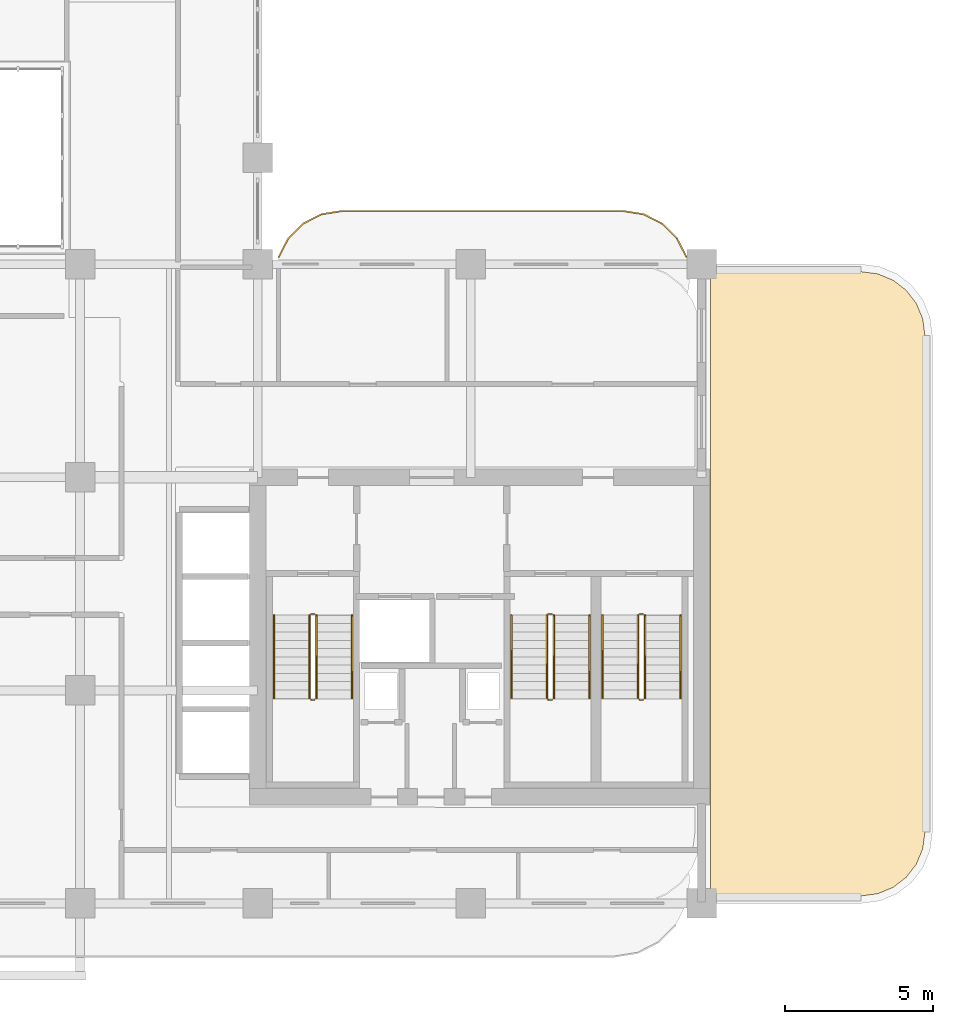
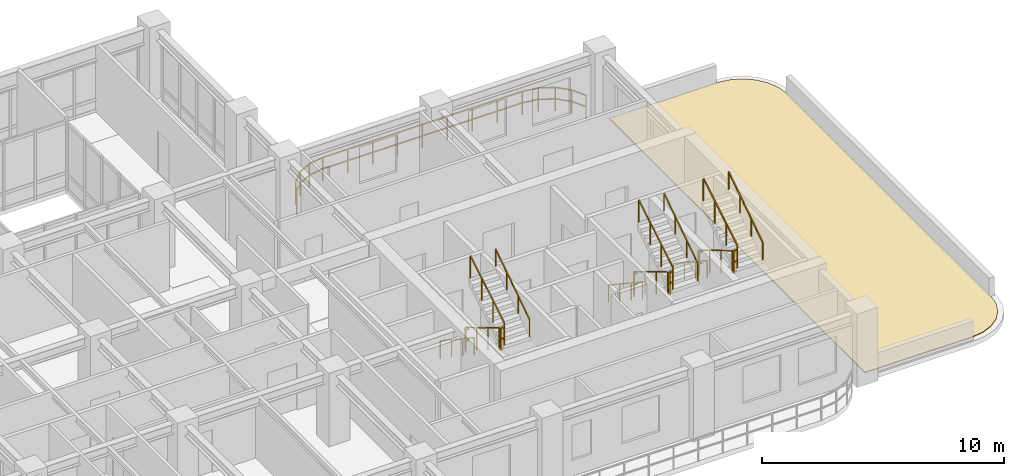
# One storey, part 18 of 20: 19 railings, 1 covering.
"""IFC4 building model written with IfcOpenShell, lengths in metres."""

from ifc_helpers import new_model, si_unit, derived_unit, direction, frame, origin, origin_2d, place, context, subcontext, project, spatial, polyline, rectangle, outline, extrude, material, layer, layer_set, type_object, element, save


model = new_model("IFC4")

# Units and contexts
model_context = context("Model", 3, precision=1e-05, world=origin(), true_north=direction((0.0, 1.0)))
body_context = subcontext(model_context, "Body", "Model", "MODEL_VIEW")
ifc_project = project(units=[si_unit("LENGTHUNIT", "METRE"), si_unit("AREAUNIT", "SQUARE_METRE"), si_unit("VOLUMEUNIT", "CUBIC_METRE"), si_unit("PLANEANGLEUNIT", "RADIAN"), si_unit("MASSUNIT", "GRAM", prefix="KILO"), si_unit("THERMODYNAMICTEMPERATUREUNIT", "KELVIN"), si_unit("POWERUNIT", "WATT"), derived_unit("THERMALTRANSMITTANCEUNIT", [(si_unit("POWERUNIT", "WATT"), 1), (si_unit("AREAUNIT", "SQUARE_METRE"), -1), (si_unit("THERMODYNAMICTEMPERATUREUNIT", "KELVIN"), -1)])], contexts=[model_context])

# Site, building, storey
site_placement = place(None, origin())
site = spatial("IfcSite", under=ifc_project, at=site_placement, CompositionType="ELEMENT")
building_placement = place(site_placement, origin())
building = spatial("IfcBuilding", under=site, at=building_placement, Name="Zahravan Archway Hotel and Residences", CompositionType="ELEMENT")
storey_placement = place(building_placement, frame((0.0, 0.0, 111.800048828125)))
storey = spatial("IfcBuildingStorey", under=building, at=storey_placement, Name="L27", CompositionType="ELEMENT", Elevation=111.800048828125)

# Covering
ifc_material_1 = material(Name="Elastomeric Reflective Roof Waterproofing")
ifc_layer = layer(ifc_material_1, 0.034912109375, Name="Elastomeric Reflective Roof Waterproofing")
ifc_layer_set = layer_set([ifc_layer], Name="Elastomeric Reflective Roof Waterproofing")
covering_type = type_object("IfcCoveringType", Name="COV-ROOF-MEMB", PredefinedType="ROOFING", material=ifc_layer_set)
covering_placement = place(storey_placement, origin())
element("IfcCovering", 1, at=covering_placement, inside=storey, type_object=covering_type, Name="L27 Elastomeric Roof Membrane (SLB-L27-SETBACK-1)", PredefinedType="ROOFING", context=body_context, shape_type="SweptSolid", body=[
    extrude(outline(polyline([(55.755859375, 21.274658203125), (56.27392578125, 21.06005859375), (56.71875, 20.71875), (57.06005859375, 20.27392578125), (57.274658203125, 19.755859375), (57.35009765625, 19.18359375), (57.35009765625, 2.41650390625), (57.274658203125, 1.843994140625), (57.06005859375, 1.326171875), (56.71875, 0.881103515625), (56.27392578125, 0.539794921875), (55.755859375, 0.325439453125), (55.18359375, 0.25), (50.110107421875, 0.25), (50.110107421875, 21.35009765625), (55.18359375, 21.35009765625), (55.755859375, 21.274658203125)])), origin(), (0.0, 0.0, 1.0), 0.034912109375),
])

# Railings
ifc_material_2 = material(Name="Bronze & Laminated Glass Balustrade", Category="glass")
railing_type_1 = type_object("IfcRailingType", Name="RL-BAL-1200", PredefinedType="BALUSTRADE", material=ifc_material_2)
railing_1_placement = place(storey_placement, frame((35.510009765625, 21.84521484375, 0.0)))
element("IfcRailing", 2, at=railing_1_placement, inside=storey, type_object=railing_type_1, Name="L27 Balustrade RL-SLB-BAL-L27-NA-1", PredefinedType="BALUSTRADE", context=body_context, shape_type="SweptSolid", body=[
    extrude(rectangle(XDim=0.048095703125, YDim=0.048095703125, at=origin_2d()), frame((0.0, 0.0, 1.17578125), z_axis=(0.453998517824, 0.891002438725, 0.0), x_axis=(-0.891002438725, 0.453998517824, 0.0)), (0.0, 0.0, 1.0), 0.703857421875),
    extrude(rectangle(XDim=0.048095703125, YDim=0.048095703125, at=origin_2d()), frame((0.0, 0.0, 0.60009765625), z_axis=(0.453998517824, 0.891002438725, 0.0), x_axis=(-0.891002438725, 0.453998517824, 0.0)), (0.0, 0.0, 1.0), 0.703857421875),
    extrude(rectangle(XDim=0.048095703125, YDim=0.048095703125, at=origin_2d()), frame((0.319580078125, 0.627197265625, 1.17578125), z_axis=(0.707106781187, 0.707106781187, 0.0), x_axis=(-0.707106781187, 0.707106781187, 0.0)), (0.0, 0.0, 1.0), 0.7041015625),
    extrude(rectangle(XDim=0.048095703125, YDim=0.048095703125, at=origin_2d()), frame((0.319580078125, 0.627197265625, 0.60009765625), z_axis=(0.707106781187, 0.707106781187, 0.0), x_axis=(-0.707106781187, 0.707106781187, 0.0)), (0.0, 0.0, 1.0), 0.7041015625),
    extrude(rectangle(XDim=0.048095703125, YDim=0.048095703125, at=origin_2d()), frame((0.8173828125, 1.125, 1.17578125), z_axis=(0.891002438725, 0.453998517824, 0.0), x_axis=(-0.453998517824, 0.891002438725, 0.0)), (0.0, 0.0, 1.0), 0.703857421875),
    extrude(rectangle(XDim=0.048095703125, YDim=0.048095703125, at=origin_2d()), frame((0.8173828125, 1.125, 0.60009765625), z_axis=(0.891002438725, 0.453998517824, 0.0), x_axis=(-0.453998517824, 0.891002438725, 0.0)), (0.0, 0.0, 1.0), 0.703857421875),
    extrude(rectangle(XDim=0.048095703125, YDim=0.048095703125, at=origin_2d()), frame((1.444580078125, 1.444580078125, 1.17578125), z_axis=(0.987692567255, 0.156407776626, 0.0), x_axis=(-0.156407776626, 0.987692567255, 0.0)), (0.0, 0.0, 1.0), 0.703857421875),
    extrude(rectangle(XDim=0.048095703125, YDim=0.048095703125, at=origin_2d()), frame((1.444580078125, 1.444580078125, 0.60009765625), z_axis=(0.987692567255, 0.156407776626, 0.0), x_axis=(-0.156407776626, 0.987692567255, 0.0)), (0.0, 0.0, 1.0), 0.703857421875),
    extrude(rectangle(XDim=0.048095703125, YDim=0.048095703125, at=origin_2d()), frame((2.139892578125, 1.5546875, 1.17578125), z_axis=(1.0, 0.0, 0.0), x_axis=(0.0, 1.0, 0.0)), (0.0, 0.0, 1.0), 9.5),
    extrude(rectangle(XDim=0.048095703125, YDim=0.048095703125, at=origin_2d()), frame((2.139892578125, 1.5546875, 0.60009765625), z_axis=(1.0, 0.0, 0.0), x_axis=(0.0, 1.0, 0.0)), (0.0, 0.0, 1.0), 9.5),
    extrude(rectangle(XDim=0.048095703125, YDim=0.048095703125, at=origin_2d()), frame((11.639892578125, 1.5546875, 1.17578125), z_axis=(0.987692567255, -0.156407776626, 0.0), x_axis=(0.156407776626, 0.987692567255, 0.0)), (0.0, 0.0, 1.0), 0.703857421875),
    extrude(rectangle(XDim=0.048095703125, YDim=0.048095703125, at=origin_2d()), frame((11.639892578125, 1.5546875, 0.60009765625), z_axis=(0.987692567255, -0.156407776626, 0.0), x_axis=(0.156407776626, 0.987692567255, 0.0)), (0.0, 0.0, 1.0), 0.703857421875),
    extrude(rectangle(XDim=0.048095703125, YDim=0.048095703125, at=origin_2d()), frame((12.335205078125, 1.444580078125, 1.17578125), z_axis=(0.891002438725, -0.453998517824, 0.0), x_axis=(0.453998517824, 0.891002438725, 0.0)), (0.0, 0.0, 1.0), 0.703857421875),
    extrude(rectangle(XDim=0.048095703125, YDim=0.048095703125, at=origin_2d()), frame((12.335205078125, 1.444580078125, 0.60009765625), z_axis=(0.891002438725, -0.453998517824, 0.0), x_axis=(0.453998517824, 0.891002438725, 0.0)), (0.0, 0.0, 1.0), 0.703857421875),
    extrude(rectangle(XDim=0.048095703125, YDim=0.048095703125, at=origin_2d()), frame((12.96240234375, 1.125, 1.17578125), z_axis=(0.707106781187, -0.707106781187, 0.0), x_axis=(0.707106781187, 0.707106781187, 0.0)), (0.0, 0.0, 1.0), 0.7041015625),
    extrude(rectangle(XDim=0.048095703125, YDim=0.048095703125, at=origin_2d()), frame((12.96240234375, 1.125, 0.60009765625), z_axis=(0.707106781187, -0.707106781187, 0.0), x_axis=(0.707106781187, 0.707106781187, 0.0)), (0.0, 0.0, 1.0), 0.7041015625),
    extrude(rectangle(XDim=0.048095703125, YDim=0.048095703125, at=origin_2d()), frame((13.460205078125, 0.627197265625, 1.17578125), z_axis=(0.453998517824, -0.891002438725, 0.0), x_axis=(0.891002438725, 0.453998517824, 0.0)), (0.0, 0.0, 1.0), 0.703857421875),
    extrude(rectangle(XDim=0.048095703125, YDim=0.048095703125, at=origin_2d()), frame((13.460205078125, 0.627197265625, 0.60009765625), z_axis=(0.453998517824, -0.891002438725, 0.0), x_axis=(0.891002438725, 0.453998517824, 0.0)), (0.0, 0.0, 1.0), 0.703857421875),
    extrude(rectangle(XDim=0.0419921875, YDim=0.0419921875, at=origin_2d()), origin(), (0.0, 0.0, 1.0), 1.15185546875),
    extrude(rectangle(XDim=0.0419921875, YDim=0.0419921875, at=origin_2d()), frame((0.319580078125, 0.627197265625, 0.0)), (0.0, 0.0, 1.0), 1.15185546875),
    extrude(rectangle(XDim=0.0419921875, YDim=0.0419921875, at=origin_2d()), frame((0.8173828125, 1.125, 0.0)), (0.0, 0.0, 1.0), 1.15185546875),
    extrude(rectangle(XDim=0.0419921875, YDim=0.0419921875, at=origin_2d()), frame((1.444580078125, 1.444580078125, 0.0)), (0.0, 0.0, 1.0), 1.15185546875),
    extrude(rectangle(XDim=0.0419921875, YDim=0.0419921875, at=origin_2d()), frame((2.139892578125, 1.5546875, 0.0)), (0.0, 0.0, 1.0), 1.15185546875),
    extrude(rectangle(XDim=0.0419921875, YDim=0.0419921875, at=origin_2d()), frame((3.327392578125, 1.5546875, 0.0)), (0.0, 0.0, 1.0), 1.15185546875),
    extrude(rectangle(XDim=0.0419921875, YDim=0.0419921875, at=origin_2d()), frame((4.514892578125, 1.5546875, 0.0)), (0.0, 0.0, 1.0), 1.15185546875),
    extrude(rectangle(XDim=0.0419921875, YDim=0.0419921875, at=origin_2d()), frame((5.702392578125, 1.5546875, 0.0)), (0.0, 0.0, 1.0), 1.15185546875),
    extrude(rectangle(XDim=0.0419921875, YDim=0.0419921875, at=origin_2d()), frame((6.889892578125, 1.5546875, 0.0)), (0.0, 0.0, 1.0), 1.15185546875),
    extrude(rectangle(XDim=0.0419921875, YDim=0.0419921875, at=origin_2d()), frame((8.077392578125, 1.5546875, 0.0)), (0.0, 0.0, 1.0), 1.15185546875),
    extrude(rectangle(XDim=0.0419921875, YDim=0.0419921875, at=origin_2d()), frame((9.264892578125, 1.5546875, 0.0)), (0.0, 0.0, 1.0), 1.15185546875),
    extrude(rectangle(XDim=0.0419921875, YDim=0.0419921875, at=origin_2d()), frame((10.452392578125, 1.5546875, 0.0)), (0.0, 0.0, 1.0), 1.15185546875),
    extrude(rectangle(XDim=0.0419921875, YDim=0.0419921875, at=origin_2d()), frame((11.639892578125, 1.5546875, 0.0)), (0.0, 0.0, 1.0), 1.15185546875),
    extrude(rectangle(XDim=0.0419921875, YDim=0.0419921875, at=origin_2d()), frame((12.335205078125, 1.444580078125, 0.0)), (0.0, 0.0, 1.0), 1.15185546875),
    extrude(rectangle(XDim=0.0419921875, YDim=0.0419921875, at=origin_2d()), frame((12.96240234375, 1.125, 0.0)), (0.0, 0.0, 1.0), 1.15185546875),
    extrude(rectangle(XDim=0.0419921875, YDim=0.0419921875, at=origin_2d()), frame((13.460205078125, 0.627197265625, 0.0)), (0.0, 0.0, 1.0), 1.15185546875),
    extrude(rectangle(XDim=0.0419921875, YDim=0.0419921875, at=origin_2d()), frame((13.77978515625, 0.0, 0.0)), (0.0, 0.0, 1.0), 1.15185546875),
])
ifc_material_3 = material(Name="Painted Tubular Steel", Category="steel")
railing_type_2 = type_object("IfcRailingType", Name="RL-STG-1150", PredefinedType="GUARDRAIL", material=ifc_material_3)
railing_2_placement = place(storey_placement, frame((36.550048828125, 9.72998046875, 0.168212890625)))
element("IfcRailing", 3, at=railing_2_placement, inside=storey, type_object=railing_type_2, Name="L27 ST-A1 stair guard 1", PredefinedType="GUARDRAIL", context=body_context, shape_type="SweptSolid", body=[
    extrude(rectangle(XDim=0.048095703125, YDim=0.048095703125, at=origin_2d()), frame((0.0, 0.0, 1.1259765625), z_axis=(0.0, -0.857275202839, 0.514858452973), x_axis=(1.0, 0.0, 0.0)), (0.0, 0.0, 1.0), 3.26611328125),
    extrude(rectangle(XDim=0.0419921875, YDim=0.0419921875, at=origin_2d()), origin(), (0.0, 0.0, 1.0), 1.101806640625),
    extrude(rectangle(XDim=0.0419921875, YDim=0.0419921875, at=origin_2d()), frame((0.0, -0.933349609375, 0.560546875)), (0.0, 0.0, 1.0), 1.101806640625),
    extrude(rectangle(XDim=0.0419921875, YDim=0.0419921875, at=origin_2d()), frame((0.0, -1.86669921875, 1.12109375)), (0.0, 0.0, 1.0), 1.101806640625),
    extrude(rectangle(XDim=0.0419921875, YDim=0.0419921875, at=origin_2d()), frame((0.0, -2.800048828125, 1.681640625)), (0.0, 0.0, 1.0), 1.101806640625),
])
railing_3_placement = place(storey_placement, frame((36.60009765625, 6.8798828125, 1.849853515625)))
element("IfcRailing", 4, at=railing_3_placement, inside=storey, type_object=railing_type_2, Name="L27 ST-A1 stair guard 2", PredefinedType="GUARDRAIL", context=body_context, shape_type="SweptSolid", body=[
    extrude(rectangle(XDim=0.048095703125, YDim=0.048095703125, at=origin_2d()), frame((0.0, 0.0, 1.1259765625), z_axis=(1.0, 0.0, 0.0), x_axis=(0.0, 1.0, 0.0)), (0.0, 0.0, 1.0), 0.139892578125),
    extrude(rectangle(XDim=0.048095703125, YDim=0.048095703125, at=origin_2d()), frame((0.0, 0.0, 0.574951171875), z_axis=(1.0, 0.0, 0.0), x_axis=(0.0, 1.0, 0.0)), (0.0, 0.0, 1.0), 0.139892578125),
    extrude(rectangle(XDim=0.0419921875, YDim=0.0419921875, at=origin_2d()), origin(), (0.0, 0.0, 1.0), 1.101806640625),
])
railing_4_placement = place(storey_placement, frame((36.7900390625, 6.929931640625, 2.01806640625)))
element("IfcRailing", 5, at=railing_4_placement, inside=storey, type_object=railing_type_2, Name="L27 ST-A1 stair guard 3", PredefinedType="GUARDRAIL", context=body_context, shape_type="SweptSolid", body=[
    extrude(rectangle(XDim=0.048095703125, YDim=0.048095703125, at=origin_2d()), frame((0.0, 0.0, 1.1259765625), z_axis=(0.0, 0.857242210791, 0.514913383045), x_axis=(-1.0, 0.0, 0.0)), (0.0, 0.0, 1.0), 3.266357421875),
    extrude(rectangle(XDim=0.0419921875, YDim=0.0419921875, at=origin_2d()), origin(), (0.0, 0.0, 1.0), 1.101806640625),
    extrude(rectangle(XDim=0.0419921875, YDim=0.0419921875, at=origin_2d()), frame((0.0, 0.933349609375, 0.560546875)), (0.0, 0.0, 1.0), 1.101806640625),
    extrude(rectangle(XDim=0.0419921875, YDim=0.0419921875, at=origin_2d()), frame((0.0, 1.86669921875, 1.121337890625)), (0.0, 0.0, 1.0), 1.101806640625),
    extrude(rectangle(XDim=0.0419921875, YDim=0.0419921875, at=origin_2d()), frame((0.0, 2.800048828125, 1.681884765625)), (0.0, 0.0, 1.0), 1.101806640625),
])
railing_5_placement = place(storey_placement, frame((36.60009765625, 9.780029296875, 0.0)))
element("IfcRailing", 6, at=railing_5_placement, inside=storey, type_object=railing_type_2, Name="L27 ST-A1 stair guard 4", PredefinedType="GUARDRAIL", context=body_context, shape_type="SweptSolid", body=[
    extrude(rectangle(XDim=0.048095703125, YDim=0.048095703125, at=origin_2d()), frame((0.0, 0.0, 1.1259765625), z_axis=(1.0, 0.0, 0.0), x_axis=(0.0, 1.0, 0.0)), (0.0, 0.0, 1.0), 0.139892578125),
    extrude(rectangle(XDim=0.048095703125, YDim=0.048095703125, at=origin_2d()), frame((0.0, 0.0, 0.574951171875), z_axis=(1.0, 0.0, 0.0), x_axis=(0.0, 1.0, 0.0)), (0.0, 0.0, 1.0), 0.139892578125),
    extrude(rectangle(XDim=0.0419921875, YDim=0.0419921875, at=origin_2d()), origin(), (0.0, 0.0, 1.0), 1.101806640625),
])
railing_6_placement = place(storey_placement, frame((44.570068359375, 9.72998046875, 0.168212890625)))
element("IfcRailing", 7, at=railing_6_placement, inside=storey, type_object=railing_type_2, Name="L27 ST-A2 stair guard 1", PredefinedType="GUARDRAIL", context=body_context, shape_type="SweptSolid", body=[
    extrude(rectangle(XDim=0.048095703125, YDim=0.048095703125, at=origin_2d()), frame((0.0, 0.0, 1.1259765625), z_axis=(0.0, -0.857275202839, 0.514858452973), x_axis=(1.0, 0.0, 0.0)), (0.0, 0.0, 1.0), 3.26611328125),
    extrude(rectangle(XDim=0.0419921875, YDim=0.0419921875, at=origin_2d()), origin(), (0.0, 0.0, 1.0), 1.101806640625),
    extrude(rectangle(XDim=0.0419921875, YDim=0.0419921875, at=origin_2d()), frame((0.0, -0.933349609375, 0.560546875)), (0.0, 0.0, 1.0), 1.101806640625),
    extrude(rectangle(XDim=0.0419921875, YDim=0.0419921875, at=origin_2d()), frame((0.0, -1.86669921875, 1.12109375)), (0.0, 0.0, 1.0), 1.101806640625),
    extrude(rectangle(XDim=0.0419921875, YDim=0.0419921875, at=origin_2d()), frame((0.0, -2.800048828125, 1.681640625)), (0.0, 0.0, 1.0), 1.101806640625),
])
railing_7_placement = place(storey_placement, frame((44.6201171875, 6.8798828125, 1.849853515625)))
element("IfcRailing", 8, at=railing_7_placement, inside=storey, type_object=railing_type_2, Name="L27 ST-A2 stair guard 2", PredefinedType="GUARDRAIL", context=body_context, shape_type="SweptSolid", body=[
    extrude(rectangle(XDim=0.048095703125, YDim=0.048095703125, at=origin_2d()), frame((0.0, 0.0, 1.1259765625), z_axis=(1.0, 0.0, 0.0), x_axis=(0.0, 1.0, 0.0)), (0.0, 0.0, 1.0), 0.139892578125),
    extrude(rectangle(XDim=0.048095703125, YDim=0.048095703125, at=origin_2d()), frame((0.0, 0.0, 0.574951171875), z_axis=(1.0, 0.0, 0.0), x_axis=(0.0, 1.0, 0.0)), (0.0, 0.0, 1.0), 0.139892578125),
    extrude(rectangle(XDim=0.0419921875, YDim=0.0419921875, at=origin_2d()), origin(), (0.0, 0.0, 1.0), 1.101806640625),
])
railing_8_placement = place(storey_placement, frame((44.81005859375, 6.929931640625, 2.01806640625)))
element("IfcRailing", 9, at=railing_8_placement, inside=storey, type_object=railing_type_2, Name="L27 ST-A2 stair guard 3", PredefinedType="GUARDRAIL", context=body_context, shape_type="SweptSolid", body=[
    extrude(rectangle(XDim=0.048095703125, YDim=0.048095703125, at=origin_2d()), frame((0.0, 0.0, 1.1259765625), z_axis=(0.0, 0.857242210791, 0.514913383045), x_axis=(-1.0, 0.0, 0.0)), (0.0, 0.0, 1.0), 3.266357421875),
    extrude(rectangle(XDim=0.0419921875, YDim=0.0419921875, at=origin_2d()), origin(), (0.0, 0.0, 1.0), 1.101806640625),
    extrude(rectangle(XDim=0.0419921875, YDim=0.0419921875, at=origin_2d()), frame((0.0, 0.933349609375, 0.560546875)), (0.0, 0.0, 1.0), 1.101806640625),
    extrude(rectangle(XDim=0.0419921875, YDim=0.0419921875, at=origin_2d()), frame((0.0, 1.86669921875, 1.121337890625)), (0.0, 0.0, 1.0), 1.101806640625),
    extrude(rectangle(XDim=0.0419921875, YDim=0.0419921875, at=origin_2d()), frame((0.0, 2.800048828125, 1.681884765625)), (0.0, 0.0, 1.0), 1.101806640625),
])
railing_9_placement = place(storey_placement, frame((44.6201171875, 9.780029296875, 0.0)))
element("IfcRailing", 10, at=railing_9_placement, inside=storey, type_object=railing_type_2, Name="L27 ST-A2 stair guard 4", PredefinedType="GUARDRAIL", context=body_context, shape_type="SweptSolid", body=[
    extrude(rectangle(XDim=0.048095703125, YDim=0.048095703125, at=origin_2d()), frame((0.0, 0.0, 1.1259765625), z_axis=(1.0, 0.0, 0.0), x_axis=(0.0, 1.0, 0.0)), (0.0, 0.0, 1.0), 0.139892578125),
    extrude(rectangle(XDim=0.048095703125, YDim=0.048095703125, at=origin_2d()), frame((0.0, 0.0, 0.574951171875), z_axis=(1.0, 0.0, 0.0), x_axis=(0.0, 1.0, 0.0)), (0.0, 0.0, 1.0), 0.139892578125),
    extrude(rectangle(XDim=0.0419921875, YDim=0.0419921875, at=origin_2d()), origin(), (0.0, 0.0, 1.0), 1.101806640625),
])
railing_10_placement = place(storey_placement, frame((47.64990234375, 9.72998046875, 0.168212890625)))
element("IfcRailing", 11, at=railing_10_placement, inside=storey, type_object=railing_type_2, Name="L27 ST-A3 stair guard 1", PredefinedType="GUARDRAIL", context=body_context, shape_type="SweptSolid", body=[
    extrude(rectangle(XDim=0.048095703125, YDim=0.048095703125, at=origin_2d()), frame((0.0, 0.0, 1.1259765625), z_axis=(0.0, -0.857275202839, 0.514858452973), x_axis=(1.0, 0.0, 0.0)), (0.0, 0.0, 1.0), 3.26611328125),
    extrude(rectangle(XDim=0.0419921875, YDim=0.0419921875, at=origin_2d()), origin(), (0.0, 0.0, 1.0), 1.101806640625),
    extrude(rectangle(XDim=0.0419921875, YDim=0.0419921875, at=origin_2d()), frame((0.0, -0.933349609375, 0.560546875)), (0.0, 0.0, 1.0), 1.101806640625),
    extrude(rectangle(XDim=0.0419921875, YDim=0.0419921875, at=origin_2d()), frame((0.0, -1.86669921875, 1.12109375)), (0.0, 0.0, 1.0), 1.101806640625),
    extrude(rectangle(XDim=0.0419921875, YDim=0.0419921875, at=origin_2d()), frame((0.0, -2.800048828125, 1.681640625)), (0.0, 0.0, 1.0), 1.101806640625),
])
railing_11_placement = place(storey_placement, frame((47.699951171875, 6.8798828125, 1.849853515625)))
element("IfcRailing", 12, at=railing_11_placement, inside=storey, type_object=railing_type_2, Name="L27 ST-A3 stair guard 2", PredefinedType="GUARDRAIL", context=body_context, shape_type="SweptSolid", body=[
    extrude(rectangle(XDim=0.048095703125, YDim=0.048095703125, at=origin_2d()), frame((0.0, 0.0, 1.1259765625), z_axis=(1.0, 0.0, 0.0), x_axis=(0.0, 1.0, 0.0)), (0.0, 0.0, 1.0), 0.14013671875),
    extrude(rectangle(XDim=0.048095703125, YDim=0.048095703125, at=origin_2d()), frame((0.0, 0.0, 0.574951171875), z_axis=(1.0, 0.0, 0.0), x_axis=(0.0, 1.0, 0.0)), (0.0, 0.0, 1.0), 0.14013671875),
    extrude(rectangle(XDim=0.0419921875, YDim=0.0419921875, at=origin_2d()), origin(), (0.0, 0.0, 1.0), 1.101806640625),
])
railing_12_placement = place(storey_placement, frame((47.889892578125, 6.929931640625, 2.01806640625)))
element("IfcRailing", 13, at=railing_12_placement, inside=storey, type_object=railing_type_2, Name="L27 ST-A3 stair guard 3", PredefinedType="GUARDRAIL", context=body_context, shape_type="SweptSolid", body=[
    extrude(rectangle(XDim=0.048095703125, YDim=0.048095703125, at=origin_2d()), frame((0.0, 0.0, 1.1259765625), z_axis=(0.0, 0.857242210791, 0.514913383045), x_axis=(-1.0, 0.0, 0.0)), (0.0, 0.0, 1.0), 3.266357421875),
    extrude(rectangle(XDim=0.0419921875, YDim=0.0419921875, at=origin_2d()), origin(), (0.0, 0.0, 1.0), 1.101806640625),
    extrude(rectangle(XDim=0.0419921875, YDim=0.0419921875, at=origin_2d()), frame((0.0, 0.933349609375, 0.560546875)), (0.0, 0.0, 1.0), 1.101806640625),
    extrude(rectangle(XDim=0.0419921875, YDim=0.0419921875, at=origin_2d()), frame((0.0, 1.86669921875, 1.121337890625)), (0.0, 0.0, 1.0), 1.101806640625),
    extrude(rectangle(XDim=0.0419921875, YDim=0.0419921875, at=origin_2d()), frame((0.0, 2.800048828125, 1.681884765625)), (0.0, 0.0, 1.0), 1.101806640625),
])
railing_13_placement = place(storey_placement, frame((47.699951171875, 9.780029296875, 0.0)))
element("IfcRailing", 14, at=railing_13_placement, inside=storey, type_object=railing_type_2, Name="L27 ST-A3 stair guard 4", PredefinedType="GUARDRAIL", context=body_context, shape_type="SweptSolid", body=[
    extrude(rectangle(XDim=0.048095703125, YDim=0.048095703125, at=origin_2d()), frame((0.0, 0.0, 1.1259765625), z_axis=(1.0, 0.0, 0.0), x_axis=(0.0, 1.0, 0.0)), (0.0, 0.0, 1.0), 0.14013671875),
    extrude(rectangle(XDim=0.048095703125, YDim=0.048095703125, at=origin_2d()), frame((0.0, 0.0, 0.574951171875), z_axis=(1.0, 0.0, 0.0), x_axis=(0.0, 1.0, 0.0)), (0.0, 0.0, 1.0), 0.14013671875),
    extrude(rectangle(XDim=0.0419921875, YDim=0.0419921875, at=origin_2d()), origin(), (0.0, 0.0, 1.0), 1.101806640625),
])
ifc_material_4 = material(Name="Brushed Stainless Steel", Category="steel")
railing_type_3 = type_object("IfcRailingType", Name="RL-STH-900", PredefinedType="HANDRAIL", material=ifc_material_4)
railing_14_placement = place(storey_placement, frame((35.35009765625, 9.72998046875, 0.168212890625)))
element("IfcRailing", 15, at=railing_14_placement, inside=storey, type_object=railing_type_3, Name="L27 ST-A1 stair handrail 1", PredefinedType="HANDRAIL", context=body_context, shape_type="SweptSolid", body=[
    extrude(rectangle(XDim=0.048095703125, YDim=0.048095703125, at=origin_2d()), frame((0.0, 0.0, 0.8759765625), z_axis=(0.0, -0.83435981716, 0.551220187865), x_axis=(1.0, 0.0, 0.0)), (0.0, 0.0, 1.0), 3.35595703125),
    extrude(rectangle(XDim=0.0419921875, YDim=0.0419921875, at=origin_2d()), origin(), (0.0, 0.0, 1.0), 0.851806640625),
    extrude(rectangle(XDim=0.0419921875, YDim=0.0419921875, at=origin_2d()), frame((0.0, -0.933349609375, 0.61669921875)), (0.0, 0.0, 1.0), 0.851806640625),
    extrude(rectangle(XDim=0.0419921875, YDim=0.0419921875, at=origin_2d()), frame((0.0, -1.86669921875, 1.233154296875)), (0.0, 0.0, 1.0), 0.851806640625),
    extrude(rectangle(XDim=0.0419921875, YDim=0.0419921875, at=origin_2d()), frame((0.0, -2.800048828125, 1.849853515625)), (0.0, 0.0, 1.0), 0.851806640625),
])
railing_15_placement = place(storey_placement, frame((37.989990234375, 6.929931640625, 2.01806640625)))
element("IfcRailing", 16, at=railing_15_placement, inside=storey, type_object=railing_type_3, Name="L27 ST-A1 stair handrail 2", PredefinedType="HANDRAIL", context=body_context, shape_type="SweptSolid", body=[
    extrude(rectangle(XDim=0.048095703125, YDim=0.048095703125, at=origin_2d()), frame((0.0, 0.0, 0.8759765625), z_axis=(0.0, 0.834326358476, 0.551270829586), x_axis=(-1.0, 0.0, 0.0)), (0.0, 0.0, 1.0), 3.35595703125),
    extrude(rectangle(XDim=0.0419921875, YDim=0.0419921875, at=origin_2d()), origin(), (0.0, 0.0, 1.0), 0.851806640625),
    extrude(rectangle(XDim=0.0419921875, YDim=0.0419921875, at=origin_2d()), frame((0.0, 0.933349609375, 0.61669921875)), (0.0, 0.0, 1.0), 0.851806640625),
    extrude(rectangle(XDim=0.0419921875, YDim=0.0419921875, at=origin_2d()), frame((0.0, 1.86669921875, 1.2333984375)), (0.0, 0.0, 1.0), 0.851806640625),
    extrude(rectangle(XDim=0.0419921875, YDim=0.0419921875, at=origin_2d()), frame((0.0, 2.800048828125, 1.85009765625)), (0.0, 0.0, 1.0), 0.851806640625),
])
railing_16_placement = place(storey_placement, frame((43.3701171875, 9.72998046875, 0.168212890625)))
element("IfcRailing", 17, at=railing_16_placement, inside=storey, type_object=railing_type_3, Name="L27 ST-A2 stair handrail 1", PredefinedType="HANDRAIL", context=body_context, shape_type="SweptSolid", body=[
    extrude(rectangle(XDim=0.048095703125, YDim=0.048095703125, at=origin_2d()), frame((0.0, 0.0, 0.8759765625), z_axis=(0.0, -0.83435981716, 0.551220187865), x_axis=(1.0, 0.0, 0.0)), (0.0, 0.0, 1.0), 3.35595703125),
    extrude(rectangle(XDim=0.0419921875, YDim=0.0419921875, at=origin_2d()), origin(), (0.0, 0.0, 1.0), 0.851806640625),
    extrude(rectangle(XDim=0.0419921875, YDim=0.0419921875, at=origin_2d()), frame((0.0, -0.933349609375, 0.61669921875)), (0.0, 0.0, 1.0), 0.851806640625),
    extrude(rectangle(XDim=0.0419921875, YDim=0.0419921875, at=origin_2d()), frame((0.0, -1.86669921875, 1.233154296875)), (0.0, 0.0, 1.0), 0.851806640625),
    extrude(rectangle(XDim=0.0419921875, YDim=0.0419921875, at=origin_2d()), frame((0.0, -2.800048828125, 1.849853515625)), (0.0, 0.0, 1.0), 0.851806640625),
])
railing_17_placement = place(storey_placement, frame((46.010009765625, 6.929931640625, 2.01806640625)))
element("IfcRailing", 18, at=railing_17_placement, inside=storey, type_object=railing_type_3, Name="L27 ST-A2 stair handrail 2", PredefinedType="HANDRAIL", context=body_context, shape_type="SweptSolid", body=[
    extrude(rectangle(XDim=0.048095703125, YDim=0.048095703125, at=origin_2d()), frame((0.0, 0.0, 0.8759765625), z_axis=(0.0, 0.834326358476, 0.551270829586), x_axis=(-1.0, 0.0, 0.0)), (0.0, 0.0, 1.0), 3.35595703125),
    extrude(rectangle(XDim=0.0419921875, YDim=0.0419921875, at=origin_2d()), origin(), (0.0, 0.0, 1.0), 0.851806640625),
    extrude(rectangle(XDim=0.0419921875, YDim=0.0419921875, at=origin_2d()), frame((0.0, 0.933349609375, 0.61669921875)), (0.0, 0.0, 1.0), 0.851806640625),
    extrude(rectangle(XDim=0.0419921875, YDim=0.0419921875, at=origin_2d()), frame((0.0, 1.86669921875, 1.2333984375)), (0.0, 0.0, 1.0), 0.851806640625),
    extrude(rectangle(XDim=0.0419921875, YDim=0.0419921875, at=origin_2d()), frame((0.0, 2.800048828125, 1.85009765625)), (0.0, 0.0, 1.0), 0.851806640625),
])
railing_18_placement = place(storey_placement, frame((46.449951171875, 9.72998046875, 0.168212890625)))
element("IfcRailing", 19, at=railing_18_placement, inside=storey, type_object=railing_type_3, Name="L27 ST-A3 stair handrail 1", PredefinedType="HANDRAIL", context=body_context, shape_type="SweptSolid", body=[
    extrude(rectangle(XDim=0.048095703125, YDim=0.048095703125, at=origin_2d()), frame((0.0, 0.0, 0.8759765625), z_axis=(0.0, -0.83435981716, 0.551220187865), x_axis=(1.0, 0.0, 0.0)), (0.0, 0.0, 1.0), 3.35595703125),
    extrude(rectangle(XDim=0.0419921875, YDim=0.0419921875, at=origin_2d()), origin(), (0.0, 0.0, 1.0), 0.851806640625),
    extrude(rectangle(XDim=0.0419921875, YDim=0.0419921875, at=origin_2d()), frame((0.0, -0.933349609375, 0.61669921875)), (0.0, 0.0, 1.0), 0.851806640625),
    extrude(rectangle(XDim=0.0419921875, YDim=0.0419921875, at=origin_2d()), frame((0.0, -1.86669921875, 1.233154296875)), (0.0, 0.0, 1.0), 0.851806640625),
    extrude(rectangle(XDim=0.0419921875, YDim=0.0419921875, at=origin_2d()), frame((0.0, -2.800048828125, 1.849853515625)), (0.0, 0.0, 1.0), 0.851806640625),
])
railing_19_placement = place(storey_placement, frame((49.090087890625, 6.929931640625, 2.01806640625)))
element("IfcRailing", 20, at=railing_19_placement, inside=storey, type_object=railing_type_3, Name="L27 ST-A3 stair handrail 2", PredefinedType="HANDRAIL", context=body_context, shape_type="SweptSolid", body=[
    extrude(rectangle(XDim=0.048095703125, YDim=0.048095703125, at=origin_2d()), frame((0.0, 0.0, 0.8759765625), z_axis=(0.0, 0.834326358476, 0.551270829586), x_axis=(-1.0, 0.0, 0.0)), (0.0, 0.0, 1.0), 3.35595703125),
    extrude(rectangle(XDim=0.0419921875, YDim=0.0419921875, at=origin_2d()), origin(), (0.0, 0.0, 1.0), 0.851806640625),
    extrude(rectangle(XDim=0.0419921875, YDim=0.0419921875, at=origin_2d()), frame((0.0, 0.933349609375, 0.61669921875)), (0.0, 0.0, 1.0), 0.851806640625),
    extrude(rectangle(XDim=0.0419921875, YDim=0.0419921875, at=origin_2d()), frame((0.0, 1.86669921875, 1.2333984375)), (0.0, 0.0, 1.0), 0.851806640625),
    extrude(rectangle(XDim=0.0419921875, YDim=0.0419921875, at=origin_2d()), frame((0.0, 2.800048828125, 1.85009765625)), (0.0, 0.0, 1.0), 0.851806640625),
])

save(model, "model.ifc")
